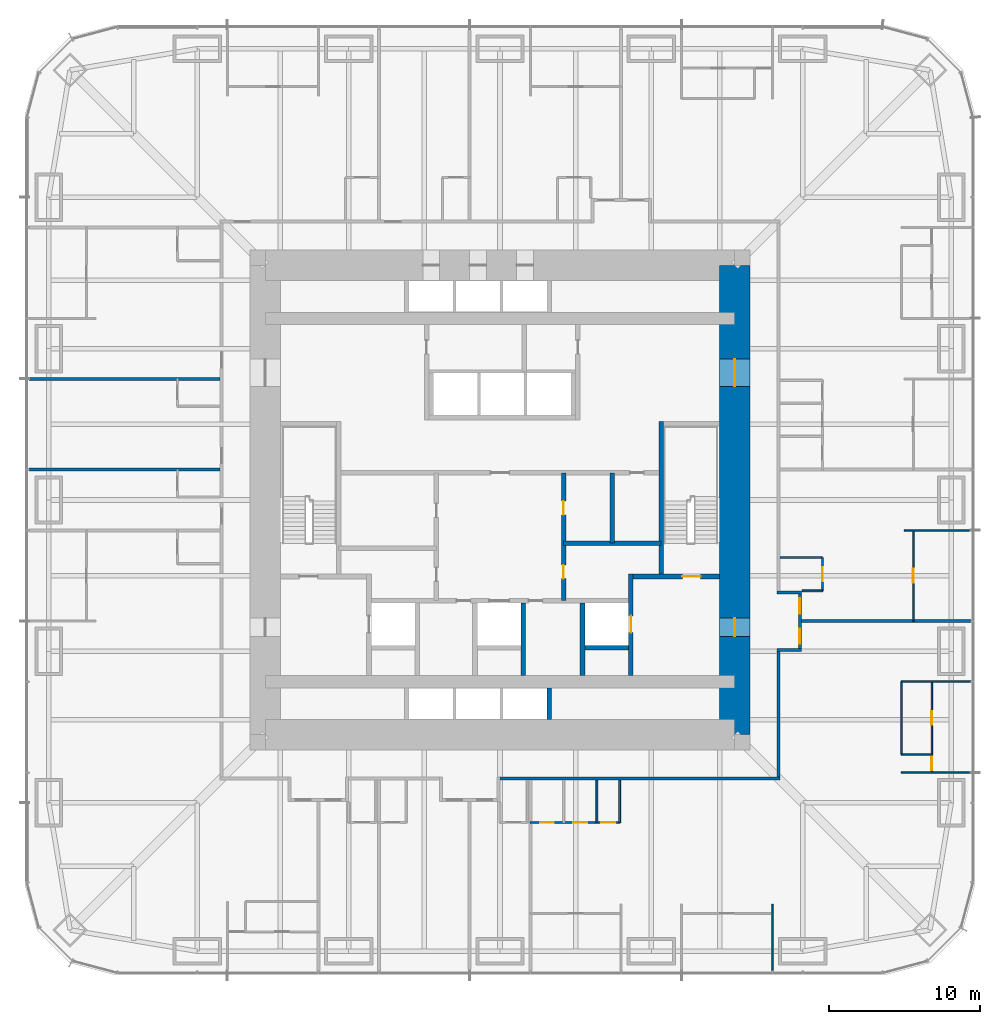
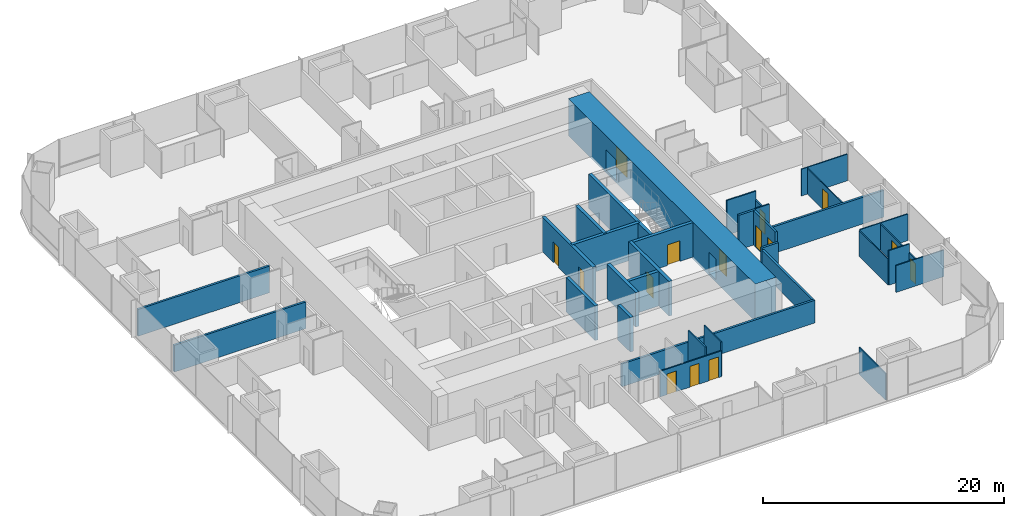
# One storey, part 13 of 16: 33 walls, 15 doors, 15 openings.
"""IFC4 building model written with IfcOpenShell, lengths in metres."""

from ifc_helpers import new_model, si_unit, direction, frame, frame_2d, origin, place, context, subcontext, project, spatial, rectangle, extrude, material, layer, layer_set, type_object, element, fill, save


model = new_model("IFC4")

# Units and contexts
model_context = context("Model", 3, precision=1e-05, world=origin(), true_north=direction((0.0, 1.0)))
body_context = subcontext(model_context, "Body", "Model", "MODEL_VIEW")
ifc_project = project(units=[si_unit("LENGTHUNIT", "METRE"), si_unit("AREAUNIT", "SQUARE_METRE"), si_unit("VOLUMEUNIT", "CUBIC_METRE"), si_unit("PLANEANGLEUNIT", "RADIAN"), si_unit("MASSUNIT", "GRAM", prefix="KILO")], contexts=[model_context])

# Site, building, storey
site_placement = place(None, origin())
site = spatial("IfcSite", under=ifc_project, at=site_placement, CompositionType="ELEMENT")
building_placement = place(site_placement, origin())
building = spatial("IfcBuilding", under=site, at=building_placement, Name="Khuree Lantern Residences", CompositionType="ELEMENT")
storey_placement = place(building_placement, frame((0.0, 0.0, 66.0)))
storey = spatial("IfcBuildingStorey", under=building, at=storey_placement, Name="L16", CompositionType="ELEMENT", Elevation=66.0)

# Wall, opening, door
ifc_material_1 = material(Name="Moisture-resistant gypsum board on steel studs", Category="steel")
ifc_layer_1 = layer(ifc_material_1, 0.125)
ifc_layer_set_1 = layer_set([ifc_layer_1], Name="BATHROOM WALL BTW125")
wall_type_1 = type_object("IfcWallType", Name="BATHROOM WALL BTW125", PredefinedType="PARTITIONING", material=ifc_layer_set_1)
wall_1_placement = place(storey_placement, frame((21.300048828125, -6.0, 0.0), z_axis=(0.0, 0.0, 1.0), x_axis=(0.0, 1.0, 0.0)))
wall_1 = element("IfcWall", 1, at=wall_1_placement, inside=storey, type_object=wall_type_1, Name="L16 BATHROOM WALL 01", PredefinedType="PARTITIONING", context=body_context, shape_type="SweptSolid", body=[
    extrude(rectangle(XDim=2.199951171875, YDim=0.125, at=frame_2d((1.10009765625, 0.0))), origin(), (0.0, 0.0, 1.0), 2.610107421875),
])
opening_1_placement = place(wall_1_placement, frame((0.64990234375, 0.0, 0.0)))
opening_1 = element("IfcOpeningElement", 2, at=opening_1_placement, cuts=wall_1, Name="Opening 16-024", PredefinedType="OPENING", context=body_context, shape_type="SweptSolid", body=[
    extrude(rectangle(XDim=0.89990234375, YDim=2.10009765625, at=frame_2d((0.449951171875, 1.050048828125))), frame((0.0, 0.072509765625, 0.0), z_axis=(0.0, -1.0, 0.0), x_axis=(1.0, 0.0, 0.0)), (0.0, 0.0, 1.0), 0.14501953125),
])
ifc_material_2 = material(Name="Timber door leaf in hardwood frame", Category="wood")
door_type_1 = type_object("IfcDoorType", Name="BATHROOM DOOR 900X2100", OperationType="SINGLE_SWING_LEFT", PredefinedType="DOOR", material=ifc_material_2)
door_1_placement = place(opening_1_placement, origin())
door_1 = element("IfcDoor", 3, at=door_1_placement, inside=storey, type_object=door_type_1, Name="Bathroom door 16-024", OperationType="SINGLE_SWING_LEFT", OverallHeight=2.10009765625, OverallWidth=0.89990234375, PredefinedType="DOOR", context=body_context, shape_type="SweptSolid", body=[
    extrude(rectangle(XDim=0.89990234375, YDim=2.10009765625, at=frame_2d((0.449951171875, 1.050048828125))), frame((0.0, 0.02490234375, 0.0), z_axis=(0.0, -1.0, 0.0), x_axis=(1.0, 0.0, 0.0)), (0.0, 0.0, 1.0), 0.050048828125),
])
fill(opening_1, door_1)

# Walls
wall_2_placement = place(storey_placement, frame((19.969970703125, -6.0, 0.0), z_axis=(0.0, 0.0, 1.0), x_axis=(1.0, 0.0, 0.0)))
element("IfcWall", 4, at=wall_2_placement, inside=storey, type_object=wall_type_1, Name="L16 BATHROOM WALL 01", PredefinedType="PARTITIONING", context=body_context, shape_type="SweptSolid", body=[
    extrude(rectangle(XDim=1.330078125, YDim=0.125, at=frame_2d((0.6650390625, 0.0))), origin(), (0.0, 0.0, 1.0), 3.5),
])
wall_3_placement = place(storey_placement, frame((18.5, -3.800048828125, 0.0), z_axis=(0.0, 0.0, 1.0), x_axis=(1.0, 0.0, 0.0)))
element("IfcWall", 5, at=wall_3_placement, inside=storey, type_object=wall_type_1, Name="L16 BATHROOM WALL 01", PredefinedType="PARTITIONING", context=body_context, shape_type="SweptSolid", body=[
    extrude(rectangle(XDim=2.800048828125, YDim=0.125, at=frame_2d((1.39990234375, 0.0))), origin(), (0.0, 0.0, 1.0), 3.5),
])

# Wall, openings, doors
wall_4_placement = place(storey_placement, frame((2.0, -21.300048828125, 0.0), z_axis=(0.0, 0.0, 1.0), x_axis=(1.0, 0.0, 0.0)))
wall_4 = element("IfcWall", 6, at=wall_4_placement, inside=storey, type_object=wall_type_1, Name="L16 BATHROOM WALL 13", PredefinedType="PARTITIONING", context=body_context, shape_type="SweptSolid", body=[
    extrude(rectangle(XDim=5.89990234375, YDim=0.125, at=frame_2d((2.949951171875, 0.0))), origin(), (0.0, 0.0, 1.0), 2.610107421875),
])
opening_2_placement = place(wall_4_placement, frame((0.64990234375, 0.0, 0.0)))
opening_2 = element("IfcOpeningElement", 7, at=opening_2_placement, cuts=wall_4, Name="Opening 16-065", PredefinedType="OPENING", context=body_context, shape_type="SweptSolid", body=[
    extrude(rectangle(XDim=0.89990234375, YDim=2.10009765625, at=frame_2d((0.449951171875, 1.050048828125))), frame((0.0, 0.072509765625, 0.0), z_axis=(0.0, -1.0, 0.0), x_axis=(1.0, 0.0, 0.0)), (0.0, 0.0, 1.0), 0.14501953125),
])
opening_3_placement = place(wall_4_placement, frame((2.85009765625, 0.0, 0.0)))
opening_3 = element("IfcOpeningElement", 8, at=opening_3_placement, cuts=wall_4, Name="Opening 16-066", PredefinedType="OPENING", context=body_context, shape_type="SweptSolid", body=[
    extrude(rectangle(XDim=0.89990234375, YDim=2.10009765625, at=frame_2d((0.449951171875, 1.050048828125))), frame((0.0, 0.072509765625, 0.0), z_axis=(0.0, -1.0, 0.0), x_axis=(1.0, 0.0, 0.0)), (0.0, 0.0, 1.0), 0.14501953125),
])
opening_4_placement = place(wall_4_placement, frame((4.699951171875, 0.0, 0.0)))
opening_4 = element("IfcOpeningElement", 9, at=opening_4_placement, cuts=wall_4, Name="Opening 16-067", PredefinedType="OPENING", context=body_context, shape_type="SweptSolid", body=[
    extrude(rectangle(XDim=0.89990234375, YDim=2.10009765625, at=frame_2d((0.449951171875, 1.050048828125))), frame((0.0, 0.072509765625, 0.0), z_axis=(0.0, -1.0, 0.0), x_axis=(1.0, 0.0, 0.0)), (0.0, 0.0, 1.0), 0.14501953125),
])
door_2_placement = place(opening_2_placement, origin())
door_2 = element("IfcDoor", 10, at=door_2_placement, inside=storey, type_object=door_type_1, Name="Bathroom door 16-065", OperationType="SINGLE_SWING_LEFT", OverallHeight=2.10009765625, OverallWidth=0.89990234375, PredefinedType="DOOR", context=body_context, shape_type="SweptSolid", body=[
    extrude(rectangle(XDim=0.89990234375, YDim=2.10009765625, at=frame_2d((0.449951171875, 1.050048828125))), frame((0.0, 0.02490234375, 0.0), z_axis=(0.0, -1.0, 0.0), x_axis=(1.0, 0.0, 0.0)), (0.0, 0.0, 1.0), 0.050048828125),
])
fill(opening_2, door_2)
door_3_placement = place(opening_3_placement, origin())
door_3 = element("IfcDoor", 11, at=door_3_placement, inside=storey, type_object=door_type_1, Name="Bathroom door 16-066", OperationType="SINGLE_SWING_LEFT", OverallHeight=2.10009765625, OverallWidth=0.89990234375, PredefinedType="DOOR", context=body_context, shape_type="SweptSolid", body=[
    extrude(rectangle(XDim=0.89990234375, YDim=2.10009765625, at=frame_2d((0.449951171875, 1.050048828125))), frame((0.0, 0.02490234375, 0.0), z_axis=(0.0, -1.0, 0.0), x_axis=(1.0, 0.0, 0.0)), (0.0, 0.0, 1.0), 0.050048828125),
])
fill(opening_3, door_3)
door_type_2 = type_object("IfcDoorType", Name="WC DOOR 900X2100", OperationType="SINGLE_SWING_LEFT", PredefinedType="DOOR", material=ifc_material_2)
door_4_placement = place(opening_4_placement, origin())
door_4 = element("IfcDoor", 12, at=door_4_placement, inside=storey, type_object=door_type_2, Name="WC door 16-067", OperationType="SINGLE_SWING_LEFT", OverallHeight=2.10009765625, OverallWidth=0.89990234375, PredefinedType="DOOR", context=body_context, shape_type="SweptSolid", body=[
    extrude(rectangle(XDim=0.89990234375, YDim=2.10009765625, at=frame_2d((0.449951171875, 1.050048828125))), frame((0.0, 0.02490234375, 0.0), z_axis=(0.0, -1.0, 0.0), x_axis=(1.0, 0.0, 0.0)), (0.0, 0.0, 1.0), 0.050048828125),
])
fill(opening_4, door_4)

# Walls
for number, where, z_axis, x_axis, name in (
    (13, (6.39990234375, -18.5, 0.0), (0.0, 0.0, 1.0), (0.0, -1.0, 0.0), "L16 BATHROOM WALL 13"),
    (14, (7.89990234375, -18.5, 0.0), (0.0, 0.0, 1.0), (0.0, -1.0, 0.0), "L16 BATHROOM WALL 13"),
):
    element("IfcWall", number, at=place(storey_placement, frame(where, z_axis=z_axis, x_axis=x_axis)), inside=storey, type_object=wall_type_1, Name=name, PredefinedType="PARTITIONING", context=body_context, shape_type="SweptSolid", body=[
        extrude(rectangle(XDim=2.800048828125, YDim=0.125, at=frame_2d((1.39990234375, 0.0))), origin(), (0.0, 0.0, 1.0), 3.5),
    ])

# Wall, opening, door
ifc_material_3 = material(Name="Dense concrete blockwork", Category="masonry")
ifc_layer_2 = layer(ifc_material_3, 0.300048828125)
ifc_layer_set_2 = layer_set([ifc_layer_2], Name="CORE PARTITION WALL CPW300 EI 120")
wall_type_2 = type_object("IfcWallType", Name="CORE PARTITION WALL CPW300 EI 120", PredefinedType="PARTITIONING", material=ifc_layer_set_2)
wall_5_placement = place(storey_placement, frame((8.64990234375, -11.60009765625, 0.0), z_axis=(0.0, 0.0, 1.0), x_axis=(0.0, 1.0, 0.0)))
wall_5 = element("IfcWall", 15, at=wall_5_placement, inside=storey, type_object=wall_type_2, Name="L16 CORE WALL FL2E", PredefinedType="PARTITIONING", context=body_context, shape_type="SweptSolid", body=[
    extrude(rectangle(XDim=6.7001953125, YDim=0.300048828125, at=frame_2d((3.35009765625, 0.0))), origin(), (0.0, 0.0, 1.0), 3.5),
])
opening_5_placement = place(wall_5_placement, frame((2.85009765625, 0.0, 0.0)))
opening_5 = element("IfcOpeningElement", 16, at=opening_5_placement, cuts=wall_5, Name="Opening 16-008", PredefinedType="OPENING", context=body_context, shape_type="SweptSolid", body=[
    extrude(rectangle(XDim=1.10009765625, YDim=2.10009765625, at=frame_2d((0.550048828125, 1.050048828125))), frame((0.0, 0.16015625, 0.0), z_axis=(0.0, -1.0, 0.0), x_axis=(1.0, 0.0, 0.0)), (0.0, 0.0, 1.0), 0.320068359375),
])
ifc_material_4 = material(Name="Stainless steel lift landing door", Category="steel")
door_type_3 = type_object("IfcDoorType", Name="LIFT LANDING DOOR 1100X2100 E 120", OperationType="DOUBLE_DOOR_SLIDING", PredefinedType="DOOR", material=ifc_material_4)
door_5_placement = place(opening_5_placement, origin())
door_5 = element("IfcDoor", 17, at=door_5_placement, inside=storey, type_object=door_type_3, Name="Landing door FL2 16-008", OperationType="DOUBLE_DOOR_SLIDING", OverallHeight=2.10009765625, OverallWidth=1.10009765625, PredefinedType="DOOR", context=body_context, shape_type="SweptSolid", body=[
    extrude(rectangle(XDim=1.10009765625, YDim=2.10009765625, at=frame_2d((0.550048828125, 1.050048828125))), frame((0.0, 0.02490234375, 0.0), z_axis=(0.0, -1.0, 0.0), x_axis=(1.0, 0.0, 0.0)), (0.0, 0.0, 1.0), 0.050048828125),
])
fill(opening_5, door_5)

# Walls
for number, where, z_axis, x_axis, name in (
    (18, (1.550048828125, -11.60009765625, 0.0), (0.0, 0.0, 1.0), (0.0, 1.0, 0.0), "L16 CORE WALL SL1E"),
    (19, (5.449951171875, -11.60009765625, 0.0), (0.0, 0.0, 1.0), (0.0, 1.0, 0.0), "L16 CORE WALL FL2W"),
):
    element("IfcWall", number, at=place(storey_placement, frame(where, z_axis=z_axis, x_axis=x_axis)), inside=storey, type_object=wall_type_2, Name=name, PredefinedType="PARTITIONING", context=body_context, shape_type="SweptSolid", body=[
        extrude(rectangle(XDim=4.800048828125, YDim=0.300048828125, at=frame_2d((2.39990234375, 0.0))), origin(), (0.0, 0.0, 1.0), 3.5),
    ])
wall_6_placement = place(storey_placement, frame((5.60009765625, -9.75, 0.0), z_axis=(0.0, 0.0, 1.0), x_axis=(1.0, 0.0, 0.0)))
element("IfcWall", 20, at=wall_6_placement, inside=storey, type_object=wall_type_2, Name="L16 CORE WALL FL2S", PredefinedType="PARTITIONING", context=body_context, shape_type="SweptSolid", body=[
    extrude(rectangle(XDim=2.89990234375, YDim=0.300048828125, at=frame_2d((1.449951171875, 0.0))), origin(), (0.0, 0.0, 1.0), 3.5),
])
wall_7_placement = place(storey_placement, frame((3.25, -14.5, 0.0), z_axis=(0.0, 0.0, 1.0), x_axis=(0.0, 1.0, 0.0)))
element("IfcWall", 21, at=wall_7_placement, inside=storey, type_object=wall_type_2, Name="L16 CORE WALL PME", PredefinedType="PARTITIONING", context=body_context, shape_type="SweptSolid", body=[
    extrude(rectangle(XDim=2.10009765625, YDim=0.300048828125, at=frame_2d((1.050048828125, 0.0))), origin(), (0.0, 0.0, 1.0), 3.5),
])

# Wall, openings, doors
wall_8_placement = place(storey_placement, frame((4.199951171875, -6.64990234375, 0.0), z_axis=(0.0, 0.0, 1.0), x_axis=(0.0, 1.0, 0.0)))
wall_8 = element("IfcWall", 22, at=wall_8_placement, inside=storey, type_object=wall_type_2, Name="L16 CORE WALL SVE", PredefinedType="PARTITIONING", context=body_context, shape_type="SweptSolid", body=[
    extrude(rectangle(XDim=8.449951171875, YDim=0.300048828125, at=frame_2d((4.22509765625, 0.0))), origin(), (0.0, 0.0, 1.0), 3.5),
])
opening_6_placement = place(wall_8_placement, frame((1.450927734375, 0.0, 0.0)))
opening_6 = element("IfcOpeningElement", 23, at=opening_6_placement, cuts=wall_8, Name="Opening 16-018", PredefinedType="OPENING", context=body_context, shape_type="SweptSolid", body=[
    extrude(rectangle(XDim=0.89990234375, YDim=2.10009765625, at=frame_2d((0.449951171875, 1.050048828125))), frame((0.0, 0.16015625, 0.0), z_axis=(0.0, -1.0, 0.0), x_axis=(1.0, 0.0, 0.0)), (0.0, 0.0, 1.0), 0.320068359375),
])
opening_7_placement = place(wall_8_placement, frame((5.676025390625, 0.0, 0.0)))
opening_7 = element("IfcOpeningElement", 24, at=opening_7_placement, cuts=wall_8, Name="Opening 16-019", PredefinedType="OPENING", context=body_context, shape_type="SweptSolid", body=[
    extrude(rectangle(XDim=0.89990234375, YDim=2.10009765625, at=frame_2d((0.449951171875, 1.050048828125))), frame((0.0, 0.16015625, 0.0), z_axis=(0.0, -1.0, 0.0), x_axis=(1.0, 0.0, 0.0)), (0.0, 0.0, 1.0), 0.320068359375),
])
door_type_4 = type_object("IfcDoorType", Name="DOOR 900X2100", OperationType="SINGLE_SWING_LEFT", PredefinedType="DOOR", material=ifc_material_2)
door_6_placement = place(opening_6_placement, origin())
door_6 = element("IfcDoor", 25, at=door_6_placement, inside=storey, type_object=door_type_4, Name="Parcel room door 16-018", OperationType="SINGLE_SWING_LEFT", OverallHeight=2.10009765625, OverallWidth=0.89990234375, PredefinedType="DOOR", context=body_context, shape_type="SweptSolid", body=[
    extrude(rectangle(XDim=0.89990234375, YDim=2.10009765625, at=frame_2d((0.449951171875, 1.050048828125))), frame((0.0, 0.02490234375, 0.0), z_axis=(0.0, -1.0, 0.0), x_axis=(1.0, 0.0, 0.0)), (0.0, 0.0, 1.0), 0.050048828125),
])
fill(opening_6, door_6)
door_type_5 = type_object("IfcDoorType", Name="DOOR 900X2100 RIGHT HAND", OperationType="SINGLE_SWING_RIGHT", PredefinedType="DOOR", material=ifc_material_2)
door_7_placement = place(opening_7_placement, origin())
door_7 = element("IfcDoor", 26, at=door_7_placement, inside=storey, type_object=door_type_5, Name="Building management room door 16-019", OperationType="SINGLE_SWING_RIGHT", OverallHeight=2.10009765625, OverallWidth=0.89990234375, PredefinedType="DOOR", context=body_context, shape_type="SweptSolid", body=[
    extrude(rectangle(XDim=0.89990234375, YDim=2.10009765625, at=frame_2d((0.449951171875, 1.050048828125))), frame((0.0, 0.02490234375, 0.0), z_axis=(0.0, -1.0, 0.0), x_axis=(1.0, 0.0, 0.0)), (0.0, 0.0, 1.0), 0.050048828125),
])
fill(opening_7, door_7)

# Walls
wall_9_placement = place(storey_placement, frame((10.64990234375, -2.847900390625, 0.0), z_axis=(0.0, 0.0, 1.0), x_axis=(-1.0, 0.0, 0.0)))
element("IfcWall", 27, at=wall_9_placement, inside=storey, type_object=wall_type_2, Name="L16 CORE WALL EX", PredefinedType="PARTITIONING", context=body_context, shape_type="SweptSolid", body=[
    extrude(rectangle(XDim=6.449951171875, YDim=0.300048828125, at=frame_2d((3.22509765625, 0.0))), origin(), (0.0, 0.0, 1.0), 3.5),
])
wall_10_placement = place(storey_placement, frame((7.425048828125, -2.847900390625, 0.0), z_axis=(0.0, 0.0, 1.0), x_axis=(0.0, 1.0, 0.0)))
element("IfcWall", 28, at=wall_10_placement, inside=storey, type_object=wall_type_2, Name="L16 CORE WALL EV", PredefinedType="PARTITIONING", context=body_context, shape_type="SweptSolid", body=[
    extrude(rectangle(XDim=4.64794921875, YDim=0.300048828125, at=frame_2d((2.323974609375, 0.0))), origin(), (0.0, 0.0, 1.0), 3.5),
])
ifc_material_5 = material(Name="Gypsum board on steel studs", Category="steel")
ifc_layer_3 = layer(ifc_material_5, 0.199951171875)
ifc_layer_set_3 = layer_set([ifc_layer_3], Name="CORRIDOR WALL CRW200 EI 60")
wall_type_3 = type_object("IfcWallType", Name="CORRIDOR WALL CRW200 EI 60", PredefinedType="PARTITIONING", material=ifc_layer_set_3)
wall_11_placement = place(storey_placement, frame((18.39990234375, -18.300048828125, 0.0), z_axis=(0.0, 0.0, 1.0), x_axis=(0.0, 1.0, 0.0)))
element("IfcWall", 29, at=wall_11_placement, inside=storey, type_object=wall_type_3, Name="L16 CORRIDOR WALL EAST 1", PredefinedType="PARTITIONING", context=body_context, shape_type="SweptSolid", body=[
    extrude(rectangle(XDim=8.300048828125, YDim=0.199951171875, at=frame_2d((4.14990234375, 0.0))), origin(), (0.0, 0.0, 1.0), 2.300048828125),
])
wall_12_placement = place(storey_placement, frame((18.300048828125, -9.89990234375, 0.0), z_axis=(0.0, 0.0, 1.0), x_axis=(1.0, 0.0, 0.0)))
element("IfcWall", 30, at=wall_12_placement, inside=storey, type_object=wall_type_3, Name="L16 CORRIDOR ALCOVE WALL EAST", PredefinedType="PARTITIONING", context=body_context, shape_type="SweptSolid", body=[
    extrude(rectangle(XDim=1.599853515625, YDim=0.199951171875, at=frame_2d((0.7998046875, 0.0))), origin(), (0.0, 0.0, 1.0), 2.491943359375),
])
wall_13_placement = place(storey_placement, frame((18.300048828125, -6.10009765625, 0.0), z_axis=(0.0, 0.0, 1.0), x_axis=(1.0, 0.0, 0.0)))
element("IfcWall", 31, at=wall_13_placement, inside=storey, type_object=wall_type_3, Name="L16 CORRIDOR ALCOVE WALL EAST", PredefinedType="PARTITIONING", context=body_context, shape_type="SweptSolid", body=[
    extrude(rectangle(XDim=1.599853515625, YDim=0.199951171875, at=frame_2d((0.7998046875, 0.0))), origin(), (0.0, 0.0, 1.0), 3.5),
])

# Wall, openings, doors
wall_14_placement = place(storey_placement, frame((19.800048828125, -9.800048828125, 0.0), z_axis=(0.0, 0.0, 1.0), x_axis=(0.0, 1.0, 0.0)))
wall_14 = element("IfcWall", 32, at=wall_14_placement, inside=storey, type_object=wall_type_3, Name="L16 CORRIDOR ALCOVE WALL EAST", PredefinedType="PARTITIONING", context=body_context, shape_type="SweptSolid", body=[
    extrude(rectangle(XDim=3.60009765625, YDim=0.199951171875, at=frame_2d((1.800048828125, 0.0))), origin(), (0.0, 0.0, 1.0), 3.5),
])
opening_8_placement = place(wall_14_placement, frame((2.300048828125, 0.0, 0.0)))
opening_8 = element("IfcOpeningElement", 33, at=opening_8_placement, cuts=wall_14, Name="Opening 16-025", PredefinedType="OPENING", context=body_context, shape_type="SweptSolid", body=[
    extrude(rectangle(XDim=1.0, YDim=2.199951171875, at=frame_2d((0.5, 1.10009765625))), frame((0.0, 0.10986328125, 0.0), z_axis=(0.0, -1.0, 0.0), x_axis=(1.0, 0.0, 0.0)), (0.0, 0.0, 1.0), 0.219970703125),
])
opening_9_placement = place(wall_14_placement, frame((0.300048828125, 0.0, 0.0)))
opening_9 = element("IfcOpeningElement", 34, at=opening_9_placement, cuts=wall_14, Name="Opening 16-068", PredefinedType="OPENING", context=body_context, shape_type="SweptSolid", body=[
    extrude(rectangle(XDim=1.0, YDim=2.199951171875, at=frame_2d((0.5, 1.10009765625))), frame((0.0, 0.10986328125, 0.0), z_axis=(0.0, -1.0, 0.0), x_axis=(1.0, 0.0, 0.0)), (0.0, 0.0, 1.0), 0.219970703125),
])
door_type_6 = type_object("IfcDoorType", Name="APARTMENT ENTRANCE DOOR 1000X2200 EI 30S", OperationType="SINGLE_SWING_LEFT", PredefinedType="DOOR", material=ifc_material_2)
door_8_placement = place(opening_9_placement, origin())
door_8 = element("IfcDoor", 35, at=door_8_placement, inside=storey, type_object=door_type_6, Name="Apartment 13 entrance door 16-068", OperationType="SINGLE_SWING_LEFT", OverallHeight=2.199951171875, OverallWidth=1.0, PredefinedType="DOOR", context=body_context, shape_type="SweptSolid", body=[
    extrude(rectangle(XDim=1.0, YDim=2.199951171875, at=frame_2d((0.5, 1.10009765625))), frame((0.0, 0.02490234375, 0.0), z_axis=(0.0, -1.0, 0.0), x_axis=(1.0, 0.0, 0.0)), (0.0, 0.0, 1.0), 0.050048828125),
])
fill(opening_9, door_8)
door_type_7 = type_object("IfcDoorType", Name="APARTMENT ENTRANCE DOOR 1000X2200 EI 30S RIGHT HAND", OperationType="SINGLE_SWING_RIGHT", PredefinedType="DOOR", material=ifc_material_2)
door_9_placement = place(opening_8_placement, origin())
door_9 = element("IfcDoor", 36, at=door_9_placement, inside=storey, type_object=door_type_7, Name="Apartment 01 entrance door 16-025", OperationType="SINGLE_SWING_RIGHT", OverallHeight=2.199951171875, OverallWidth=1.0, PredefinedType="DOOR", context=body_context, shape_type="SweptSolid", body=[
    extrude(rectangle(XDim=1.0, YDim=2.199951171875, at=frame_2d((0.5, 1.10009765625))), frame((0.0, 0.02490234375, 0.0), z_axis=(0.0, -1.0, 0.0), x_axis=(1.0, 0.0, 0.0)), (0.0, 0.0, 1.0), 0.050048828125),
])
fill(opening_8, door_9)

# Wall
wall_15_placement = place(storey_placement, frame((18.5, -18.39990234375, 0.0), z_axis=(0.0, 0.0, 1.0), x_axis=(-1.0, 0.0, 0.0)))
element("IfcWall", 37, at=wall_15_placement, inside=storey, type_object=wall_type_3, Name="L16 CORRIDOR WALL SOUTH 1", PredefinedType="PARTITIONING", context=body_context, shape_type="SweptSolid", body=[
    extrude(rectangle(XDim=18.5, YDim=0.199951171875, at=frame_2d((9.25, 0.0))), origin(), (0.0, 0.0, 1.0), 2.300048828125),
])

# Wall, openings, doors
ifc_material_6 = material(Name="Concrete C70/85", Category="concrete")
ifc_layer_4 = layer(ifc_material_6, 2.0)
ifc_layer_set_4 = layer_set([ifc_layer_4], Name="CW2000-C70 CORE WALL C70 2000")
wall_type_4 = type_object("IfcWallType", Name="CW2000-C70 CORE WALL C70 2000", PredefinedType="SHEAR", material=ifc_layer_set_4)
wall_16_placement = place(storey_placement, frame((15.5, -15.5, -0.25), z_axis=(0.0, 0.0, 1.0), x_axis=(0.0, 1.0, 0.0)))
wall_16 = element("IfcWall", 38, at=wall_16_placement, inside=storey, type_object=wall_type_4, Name="Core wall E", PredefinedType="SHEAR", context=body_context, shape_type="SweptSolid", body=[
    extrude(rectangle(XDim=31.0, YDim=2.0, at=frame_2d((15.5, 0.0))), origin(), (0.0, 0.0, 1.0), 3.75),
])
opening_10_placement = place(wall_16_placement, frame((6.5, 0.0, 0.25)))
opening_10 = element("IfcOpeningElement", 39, at=opening_10_placement, cuts=wall_16, Name="Opening 16-005", PredefinedType="OPENING", context=body_context, shape_type="SweptSolid", body=[
    extrude(rectangle(XDim=1.199951171875, YDim=2.10009765625, at=frame_2d((0.60009765625, 1.050048828125))), frame((0.0, 1.010009765625, 0.0), z_axis=(0.0, -1.0, 0.0), x_axis=(1.0, 0.0, 0.0)), (0.0, 0.0, 1.0), 2.02001953125),
])
opening_11_placement = place(wall_16_placement, frame((23.0, 0.0, 0.25)))
opening_11 = element("IfcOpeningElement", 40, at=opening_11_placement, cuts=wall_16, Name="Opening 16-006", PredefinedType="OPENING", context=body_context, shape_type="SweptSolid", body=[
    extrude(rectangle(XDim=1.800048828125, YDim=2.10009765625, at=frame_2d((0.89990234375, 1.050048828125))), frame((0.0, 1.010009765625, 0.0), z_axis=(0.0, -1.0, 0.0), x_axis=(1.0, 0.0, 0.0)), (0.0, 0.0, 1.0), 2.02001953125),
])
ifc_material_7 = material(Name="Steel door leaf in steel frame", Category="steel")
door_type_8 = type_object("IfcDoorType", Name="LOBBY DOOR 1200X2100 EI 120", OperationType="SINGLE_SWING_LEFT", PredefinedType="DOOR", material=ifc_material_7)
door_10_placement = place(opening_10_placement, origin())
door_10 = element("IfcDoor", 41, at=door_10_placement, inside=storey, type_object=door_type_8, Name="Firefighting lobby door 16-005", OperationType="SINGLE_SWING_LEFT", OverallHeight=2.10009765625, OverallWidth=1.199951171875, PredefinedType="DOOR", context=body_context, shape_type="SweptSolid", body=[
    extrude(rectangle(XDim=1.199951171875, YDim=2.10009765625, at=frame_2d((0.60009765625, 1.050048828125))), frame((0.0, 0.02490234375, 0.0), z_axis=(0.0, -1.0, 0.0), x_axis=(1.0, 0.0, 0.0)), (0.0, 0.0, 1.0), 0.050048828125),
])
fill(opening_10, door_10)
door_type_9 = type_object("IfcDoorType", Name="LOBBY DOUBLE DOOR 1800X2100 EI 60", OperationType="DOUBLE_DOOR_SINGLE_SWING", PredefinedType="DOOR", material=ifc_material_7)
door_11_placement = place(opening_11_placement, origin())
door_11 = element("IfcDoor", 42, at=door_11_placement, inside=storey, type_object=door_type_9, Name="Lift lobby door 16-006", OperationType="DOUBLE_DOOR_SINGLE_SWING", OverallHeight=2.10009765625, OverallWidth=1.800048828125, PredefinedType="DOOR", context=body_context, shape_type="SweptSolid", body=[
    extrude(rectangle(XDim=1.800048828125, YDim=2.10009765625, at=frame_2d((0.89990234375, 1.050048828125))), frame((0.0, 0.02490234375, 0.0), z_axis=(0.0, -1.0, 0.0), x_axis=(1.0, 0.0, 0.0)), (0.0, 0.0, 1.0), 0.050048828125),
])
fill(opening_11, door_11)

# Walls
ifc_layer_5 = layer(ifc_material_5, 0.199951171875)
ifc_layer_set_5 = layer_set([ifc_layer_5], Name="DEMISING WALL DMW200 EI 90")
wall_type_5 = type_object("IfcWallType", Name="DEMISING WALL DMW200 EI 90", PredefinedType="PARTITIONING", material=ifc_layer_set_5)
wall_17_placement = place(storey_placement, frame((19.89990234375, -8.0, 0.0), z_axis=(0.0, 0.0, 1.0), x_axis=(1.0, 0.0, 0.0)))
element("IfcWall", 43, at=wall_17_placement, inside=storey, type_object=wall_type_5, Name="L16 DEMISING WALL 01", PredefinedType="PARTITIONING", context=body_context, shape_type="SweptSolid", body=[
    extrude(rectangle(XDim=11.2001953125, YDim=0.199951171875, at=frame_2d((5.60009765625, 0.0))), origin(), (0.0, 0.0, 1.0), 2.7099609375),
])
for number, where, z_axis, x_axis, name in (
    (44, (-18.5, 8.0, 0.0), (0.0, 0.0, 1.0), (-1.0, 0.0, 0.0), "L16 DEMISING WALL 07"),
    (45, (-18.5, 2.0, 0.0), (0.0, 0.0, 1.0), (-1.0, 0.0, 0.0), "L16 DEMISING WALL 08"),
):
    element("IfcWall", number, at=place(storey_placement, frame(where, z_axis=z_axis, x_axis=x_axis)), inside=storey, type_object=wall_type_5, Name=name, PredefinedType="PARTITIONING", context=body_context, shape_type="SweptSolid", body=[
        extrude(rectangle(XDim=12.60009765625, YDim=0.199951171875, at=frame_2d((6.300048828125, 0.0))), origin(), (0.0, 0.0, 1.0), 2.7099609375),
    ])
ifc_layer_6 = layer(ifc_material_5, 0.10009765625)
ifc_layer_set_6 = layer_set([ifc_layer_6], Name="PARTITION PT100")
wall_type_6 = type_object("IfcWallType", Name="PARTITION PT100", PredefinedType="PARTITIONING", material=ifc_layer_set_6)
for number, where, z_axis, x_axis, name in (
    (46, (26.699951171875, -2.0, 0.0), (0.0, 0.0, 1.0), (1.0, 0.0, 0.0), "L16 PARTITION 01"),
    (47, (18.0, -26.699951171875, 0.0), (0.0, 0.0, 1.0), (0.0, -1.0, 0.0), "L16 PARTITION 13"),
):
    element("IfcWall", number, at=place(storey_placement, frame(where, z_axis=z_axis, x_axis=x_axis)), inside=storey, type_object=wall_type_6, Name=name, PredefinedType="PARTITIONING", context=body_context, shape_type="SweptSolid", body=[
        extrude(rectangle(XDim=4.400146484375, YDim=0.10009765625, at=frame_2d((2.2001953125, 0.0))), origin(), (0.0, 0.0, 1.0), 2.7099609375),
    ])
for number, where, z_axis, x_axis, name in (
    (48, (26.5166015625, -18.0, 0.0), (0.0, 0.0, 1.0), (1.0, 0.0, 0.0), "L16 PARTITION 13"),
    (49, (26.5166015625, -12.0, 0.0), (0.0, 0.0, 1.0), (1.0, 0.0, 0.0), "L16 PARTITION 13"),
):
    element("IfcWall", number, at=place(storey_placement, frame(where, z_axis=z_axis, x_axis=x_axis)), inside=storey, type_object=wall_type_6, Name=name, PredefinedType="PARTITIONING", context=body_context, shape_type="SweptSolid", body=[
        extrude(rectangle(XDim=4.58349609375, YDim=0.10009765625, at=frame_2d((2.291748046875, 0.0))), origin(), (0.0, 0.0, 1.0), 2.7099609375),
    ])

# Wall, opening, door
wall_18_placement = place(storey_placement, frame((27.300048828125, -8.0, 0.0), z_axis=(0.0, 0.0, 1.0), x_axis=(0.0, 1.0, 0.0)))
wall_18 = element("IfcWall", 50, at=wall_18_placement, inside=storey, type_object=wall_type_6, Name="L16 PARTITION 01", PredefinedType="PARTITIONING", context=body_context, shape_type="SweptSolid", body=[
    extrude(rectangle(XDim=6.0, YDim=0.10009765625, at=frame_2d((3.0, 0.0))), origin(), (0.0, 0.0, 1.0), 2.610107421875),
])
opening_12_placement = place(wall_18_placement, frame((2.550048828125, 0.0, 0.0)))
opening_12 = element("IfcOpeningElement", 51, at=opening_12_placement, cuts=wall_18, Name="Opening 16-023", PredefinedType="OPENING", context=body_context, shape_type="SweptSolid", body=[
    extrude(rectangle(XDim=0.89990234375, YDim=2.10009765625, at=frame_2d((0.449951171875, 1.050048828125))), frame((0.0, 0.06005859375, 0.0), z_axis=(0.0, -1.0, 0.0), x_axis=(1.0, 0.0, 0.0)), (0.0, 0.0, 1.0), 0.1201171875),
])
door_type_10 = type_object("IfcDoorType", Name="BEDROOM DOOR 900X2100", OperationType="SINGLE_SWING_LEFT", PredefinedType="DOOR", material=ifc_material_2)
door_12_placement = place(opening_12_placement, origin())
door_12 = element("IfcDoor", 52, at=door_12_placement, inside=storey, type_object=door_type_10, Name="Bedroom door 16-023", OperationType="SINGLE_SWING_LEFT", OverallHeight=2.10009765625, OverallWidth=0.89990234375, PredefinedType="DOOR", context=body_context, shape_type="SweptSolid", body=[
    extrude(rectangle(XDim=0.89990234375, YDim=2.10009765625, at=frame_2d((0.449951171875, 1.050048828125))), frame((0.0, 0.02490234375, 0.0), z_axis=(0.0, -1.0, 0.0), x_axis=(1.0, 0.0, 0.0)), (0.0, 0.0, 1.0), 0.050048828125),
])
fill(opening_12, door_12)

# Wall, openings, doors
wall_19_placement = place(storey_placement, frame((28.5166015625, -18.0, 0.0), z_axis=(0.0, 0.0, 1.0), x_axis=(0.0, 1.0, 0.0)))
wall_19 = element("IfcWall", 53, at=wall_19_placement, inside=storey, type_object=wall_type_6, Name="L16 PARTITION 13", PredefinedType="PARTITIONING", context=body_context, shape_type="SweptSolid", body=[
    extrude(rectangle(XDim=6.0, YDim=0.10009765625, at=frame_2d((3.0, 0.0))), origin(), (0.0, 0.0, 1.0), 2.610107421875),
])
opening_13_placement = place(wall_19_placement, frame((0.14990234375, 0.0, 0.0)))
opening_13 = element("IfcOpeningElement", 54, at=opening_13_placement, cuts=wall_19, Name="Opening 16-063", PredefinedType="OPENING", context=body_context, shape_type="SweptSolid", body=[
    extrude(rectangle(XDim=0.89990234375, YDim=2.10009765625, at=frame_2d((0.449951171875, 1.050048828125))), frame((0.0, 0.06005859375, 0.0), z_axis=(0.0, -1.0, 0.0), x_axis=(1.0, 0.0, 0.0)), (0.0, 0.0, 1.0), 0.1201171875),
])
opening_14_placement = place(wall_19_placement, frame((3.14990234375, 0.0, 0.0)))
opening_14 = element("IfcOpeningElement", 55, at=opening_14_placement, cuts=wall_19, Name="Opening 16-064", PredefinedType="OPENING", context=body_context, shape_type="SweptSolid", body=[
    extrude(rectangle(XDim=0.89990234375, YDim=2.10009765625, at=frame_2d((0.449951171875, 1.050048828125))), frame((0.0, 0.06005859375, 0.0), z_axis=(0.0, -1.0, 0.0), x_axis=(1.0, 0.0, 0.0)), (0.0, 0.0, 1.0), 0.1201171875),
])
door_13_placement = place(opening_13_placement, origin())
door_13 = element("IfcDoor", 56, at=door_13_placement, inside=storey, type_object=door_type_10, Name="Bedroom door 16-063", OperationType="SINGLE_SWING_LEFT", OverallHeight=2.10009765625, OverallWidth=0.89990234375, PredefinedType="DOOR", context=body_context, shape_type="SweptSolid", body=[
    extrude(rectangle(XDim=0.89990234375, YDim=2.10009765625, at=frame_2d((0.449951171875, 1.050048828125))), frame((0.0, 0.02490234375, 0.0), z_axis=(0.0, -1.0, 0.0), x_axis=(1.0, 0.0, 0.0)), (0.0, 0.0, 1.0), 0.050048828125),
])
fill(opening_13, door_13)
door_14_placement = place(opening_14_placement, origin())
door_14 = element("IfcDoor", 57, at=door_14_placement, inside=storey, type_object=door_type_4, Name="Wardrobe door 16-064", OperationType="SINGLE_SWING_LEFT", OverallHeight=2.10009765625, OverallWidth=0.89990234375, PredefinedType="DOOR", context=body_context, shape_type="SweptSolid", body=[
    extrude(rectangle(XDim=0.89990234375, YDim=2.10009765625, at=frame_2d((0.449951171875, 1.050048828125))), frame((0.0, 0.02490234375, 0.0), z_axis=(0.0, -1.0, 0.0), x_axis=(1.0, 0.0, 0.0)), (0.0, 0.0, 1.0), 0.050048828125),
])
fill(opening_14, door_14)

# Walls
wall_20_placement = place(storey_placement, frame((26.5166015625, -16.800048828125, 0.0), z_axis=(0.0, 0.0, 1.0), x_axis=(1.0, 0.0, 0.0)))
element("IfcWall", 58, at=wall_20_placement, inside=storey, type_object=wall_type_6, Name="L16 PARTITION 13", PredefinedType="PARTITIONING", context=body_context, shape_type="SweptSolid", body=[
    extrude(rectangle(XDim=2.0, YDim=0.10009765625, at=frame_2d((1.0, 0.0))), origin(), (0.0, 0.0, 1.0), 3.5),
])
wall_21_placement = place(storey_placement, frame((26.5166015625, -16.800048828125, 0.0), z_axis=(0.0, 0.0, 1.0), x_axis=(0.0, 1.0, 0.0)))
element("IfcWall", 59, at=wall_21_placement, inside=storey, type_object=wall_type_6, Name="L16 PARTITION 13", PredefinedType="PARTITIONING", context=body_context, shape_type="SweptSolid", body=[
    extrude(rectangle(XDim=4.800048828125, YDim=0.10009765625, at=frame_2d((2.39990234375, 0.0))), origin(), (0.0, 0.0, 1.0), 2.610107421875),
])
ifc_material_8 = material(Name="Concrete C50/60", Category="concrete")
ifc_layer_7 = layer(ifc_material_8, 0.300048828125)
ifc_layer_set_7 = layer_set([ifc_layer_7], Name="STAIR WALL SRW300 C50/60 REI 240")
wall_type_7 = type_object("IfcWallType", Name="STAIR WALL SRW300 C50/60 REI 240", PredefinedType="SOLIDWALL", material=ifc_layer_set_7)
wall_22_placement = place(storey_placement, frame((10.64990234375, -4.89990234375, 0.0), z_axis=(0.0, 0.0, 1.0), x_axis=(0.0, 1.0, 0.0)))
element("IfcWall", 60, at=wall_22_placement, inside=storey, type_object=wall_type_7, Name="L16 STAIR WALL ST2E", PredefinedType="SOLIDWALL", context=body_context, shape_type="SweptSolid", body=[
    extrude(rectangle(XDim=10.099853515625, YDim=0.300048828125, at=frame_2d((5.0498046875, 0.0))), origin(), (0.0, 0.0, 1.0), 3.5),
])

# Wall, opening, door
wall_23_placement = place(storey_placement, frame((14.5, -5.050048828125, 0.0), z_axis=(0.0, 0.0, 1.0), x_axis=(-1.0, 0.0, 0.0)))
wall_23 = element("IfcWall", 61, at=wall_23_placement, inside=storey, type_object=wall_type_7, Name="L16 STAIR WALL ST2S", PredefinedType="SOLIDWALL", context=body_context, shape_type="SweptSolid", body=[
    extrude(rectangle(XDim=5.699951171875, YDim=0.300048828125, at=frame_2d((2.85009765625, 0.0))), origin(), (0.0, 0.0, 1.0), 3.5),
])
opening_15_placement = place(wall_23_placement, frame((1.25, 0.0, 0.0)))
opening_15 = element("IfcOpeningElement", 62, at=opening_15_placement, cuts=wall_23, Name="Opening 16-004", PredefinedType="OPENING", context=body_context, shape_type="SweptSolid", body=[
    extrude(rectangle(XDim=1.199951171875, YDim=2.10009765625, at=frame_2d((0.60009765625, 1.050048828125))), frame((0.0, 0.16015625, 0.0), z_axis=(0.0, -1.0, 0.0), x_axis=(1.0, 0.0, 0.0)), (0.0, 0.0, 1.0), 0.320068359375),
])
door_type_11 = type_object("IfcDoorType", Name="STAIR DOOR 1200X2100 EI 120", OperationType="SINGLE_SWING_LEFT", PredefinedType="DOOR", material=ifc_material_7)
door_15_placement = place(opening_15_placement, origin())
door_15 = element("IfcDoor", 63, at=door_15_placement, inside=storey, type_object=door_type_11, Name="Stair ST2 door 16-004", OperationType="SINGLE_SWING_LEFT", OverallHeight=2.10009765625, OverallWidth=1.199951171875, PredefinedType="DOOR", context=body_context, shape_type="SweptSolid", body=[
    extrude(rectangle(XDim=1.199951171875, YDim=2.10009765625, at=frame_2d((0.60009765625, 1.050048828125))), frame((0.0, 0.02490234375, 0.0), z_axis=(0.0, -1.0, 0.0), x_axis=(1.0, 0.0, 0.0)), (0.0, 0.0, 1.0), 0.050048828125),
])
fill(opening_15, door_15)

save(model, "model.ifc")
